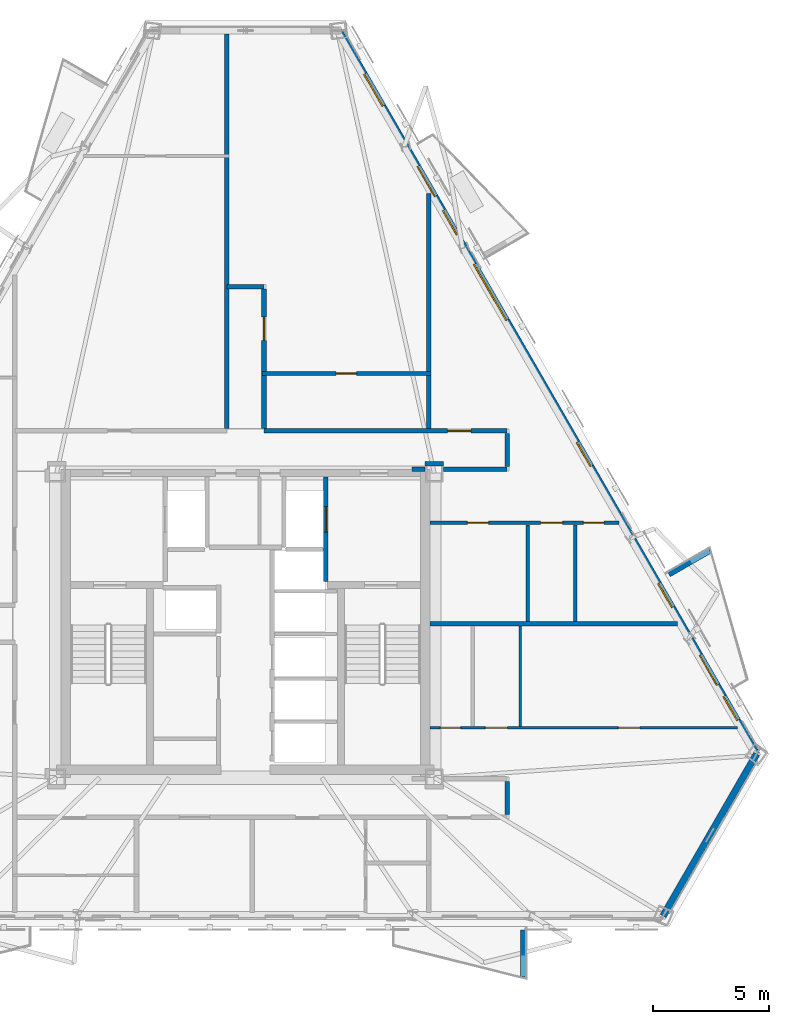
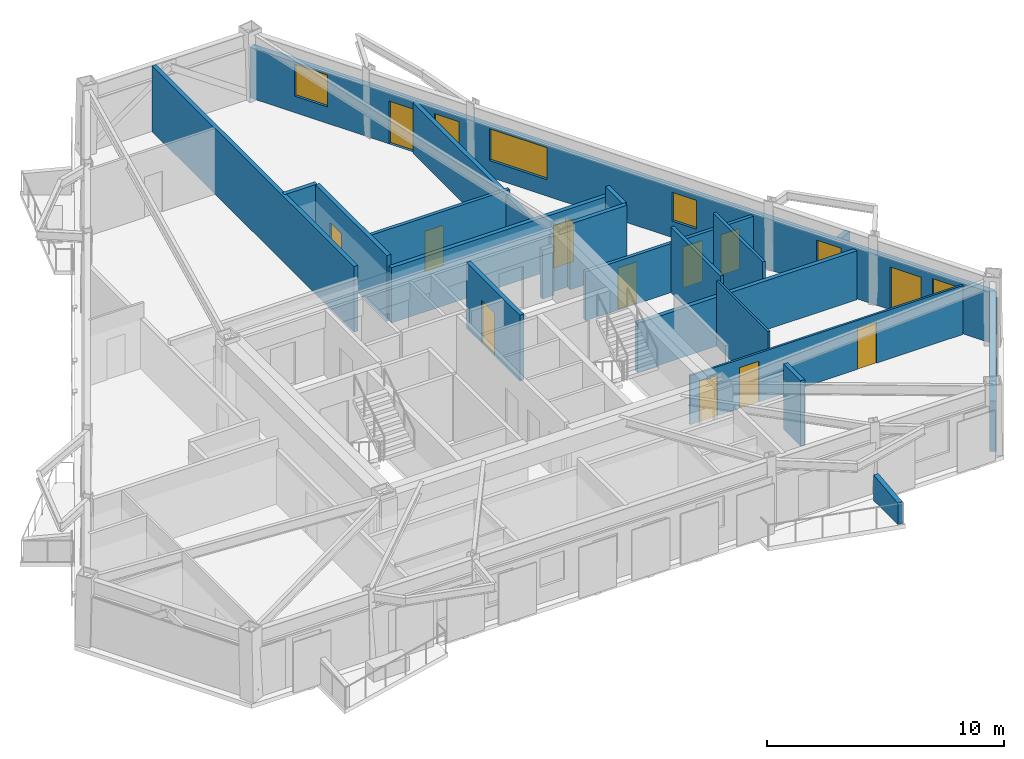
# One storey, part 6 of 10: 22 walls, 12 doors, 6 windows, 18 openings.
"""IFC4 building model written with IfcOpenShell, lengths in metres."""

from ifc_helpers import new_model, si_unit, direction, frame, frame_2d, origin, place, context, subcontext, project, spatial, polyline, rectangle, outline, extrude, material, layer, layer_set, type_object, element, fill, save


model = new_model("IFC4")

# Units and contexts
model_context = context("Model", 3, precision=1e-05, world=origin(), true_north=direction((0.0, 1.0)))
body_context = subcontext(model_context, "Body", "Model", "MODEL_VIEW")
ifc_project = project(units=[si_unit("LENGTHUNIT", "METRE"), si_unit("AREAUNIT", "SQUARE_METRE"), si_unit("VOLUMEUNIT", "CUBIC_METRE"), si_unit("PLANEANGLEUNIT", "RADIAN"), si_unit("MASSUNIT", "GRAM", prefix="KILO")], contexts=[model_context])

# Site, building, storey
site_placement = place(None, origin())
site = spatial("IfcSite", under=ifc_project, at=site_placement, CompositionType="ELEMENT")
building_placement = place(site_placement, origin())
building = spatial("IfcBuilding", under=site, at=building_placement, Name="Oramaril Tower", CompositionType="ELEMENT")
storey_placement = place(building_placement, frame((0.0, 0.0, 181.800048828125)))
storey = spatial("IfcBuildingStorey", under=building, at=storey_placement, Name="L48", CompositionType="ELEMENT", Elevation=181.800048828125)

# Wall
ifc_material_1 = material(Name="Warm Cream Limestone", Category="masonry")
ifc_layer_1 = layer(ifc_material_1, 0.2900390625)
ifc_layer_set_1 = layer_set([ifc_layer_1], Name="WT-EXT29")
wall_type_1 = type_object("IfcWallType", Name="WT-EXT29", PredefinedType="SOLIDWALL", material=ifc_layer_set_1)
wall_1_placement = place(storey_placement, frame((55.52685546875, 5.02880859375, 0.0), z_axis=(0.0, 0.0, 1.0), x_axis=(0.500007649659, 0.866020987207, 0.0)))
element("IfcWall", 1, at=wall_1_placement, inside=storey, type_object=wall_type_1, Name="L48 Tower Limestone Facade Wall 3M", PredefinedType="SOLIDWALL", context=body_context, shape_type="SweptSolid", body=[
    extrude(rectangle(XDim=8.076904296875, YDim=0.2900390625, at=frame_2d((4.03857421875, 0.0))), origin(), (0.0, 0.0, 1.0), 2.599853515625),
])

# Wall, openings, doors, windows
wall_2_placement = place(storey_placement, frame((59.5654296875, 12.023681640625, 0.0), z_axis=(0.0, 0.0, 1.0), x_axis=(-0.499997559055, 0.86602681306, 0.0)))
wall_2 = element("IfcWall", 2, at=wall_2_placement, inside=storey, type_object=wall_type_1, Name="L48 Tower Limestone Facade Wall 4M", PredefinedType="SOLIDWALL", context=body_context, shape_type="SweptSolid", body=[
    extrude(rectangle(XDim=36.053955078125, YDim=0.2900390625, at=frame_2d((18.02685546875, 0.0))), origin(), (0.0, 0.0, 1.0), 2.599853515625),
])
opening_1_placement = place(wall_2_placement, frame((3.429443359375, 0.0, 0.0)))
opening_1 = element("IfcOpeningElement", 3, at=opening_1_placement, cuts=wall_2, Name="Opening D-L48-BAL-NE1", PredefinedType="OPENING", context=body_context, shape_type="SweptSolid", body=[
    extrude(rectangle(XDim=1.5, YDim=2.199951171875, at=frame_2d((0.75, 1.10009765625))), frame((0.0, 0.14501953125, 0.0), z_axis=(0.0, -1.0, 0.0), x_axis=(1.0, 0.0, 0.0)), (0.0, 0.0, 1.0), 0.2900390625),
])
opening_2_placement = place(wall_2_placement, frame((27.779296875, 0.0, 0.0)))
opening_2 = element("IfcOpeningElement", 4, at=opening_2_placement, cuts=wall_2, Name="Opening D-L48-BAL-NE2", PredefinedType="OPENING", context=body_context, shape_type="SweptSolid", body=[
    extrude(rectangle(XDim=1.5, YDim=2.199951171875, at=frame_2d((0.75, 1.10009765625))), frame((0.0, 0.14501953125, 0.0), z_axis=(0.0, -1.0, 0.0), x_axis=(1.0, 0.0, 0.0)), (0.0, 0.0, 1.0), 0.2900390625),
])
opening_3_placement = place(wall_2_placement, frame((1.672119140625, 0.0, 0.85009765625)))
opening_3 = element("IfcOpeningElement", 5, at=opening_3_placement, cuts=wall_2, Name="Opening WN-09", PredefinedType="OPENING", context=body_context, shape_type="SweptSolid", body=[
    extrude(rectangle(XDim=1.199951171875, YDim=1.47998046875, at=frame_2d((0.60009765625, 0.739990234375))), frame((0.0, 0.14501953125, 0.0), z_axis=(0.0, -1.0, 0.0), x_axis=(1.0, 0.0, 0.0)), (0.0, 0.0, 1.0), 0.2900390625),
])
opening_4_placement = place(wall_2_placement, frame((14.33203125, 0.0, 0.85009765625)))
opening_4 = element("IfcOpeningElement", 6, at=opening_4_placement, cuts=wall_2, Name="Opening WN-09", PredefinedType="OPENING", context=body_context, shape_type="SweptSolid", body=[
    extrude(rectangle(XDim=1.199951171875, YDim=1.47998046875, at=frame_2d((0.60009765625, 0.739990234375))), frame((0.0, 0.14501953125, 0.0), z_axis=(0.0, -1.0, 0.0), x_axis=(1.0, 0.0, 0.0)), (0.0, 0.0, 1.0), 0.2900390625),
])
opening_5_placement = place(wall_2_placement, frame((21.605224609375, 0.0, 0.85009765625)))
opening_5 = element("IfcOpeningElement", 7, at=opening_5_placement, cuts=wall_2, Name="Opening WN-01", PredefinedType="OPENING", context=body_context, shape_type="SweptSolid", body=[
    extrude(rectangle(XDim=2.800048828125, YDim=1.639892578125, at=frame_2d((1.39990234375, 0.81982421875))), frame((0.0, 0.14501953125, 0.0), z_axis=(0.0, -1.0, 0.0), x_axis=(1.0, 0.0, 0.0)), (0.0, 0.0, 1.0), 0.2900390625),
])
opening_6_placement = place(wall_2_placement, frame((7.301025390625, 0.0, 0.85009765625)))
opening_6 = element("IfcOpeningElement", 8, at=opening_6_placement, cuts=wall_2, Name="Opening WN-09", PredefinedType="OPENING", context=body_context, shape_type="SweptSolid", body=[
    extrude(rectangle(XDim=1.199951171875, YDim=1.47998046875, at=frame_2d((0.60009765625, 0.739990234375))), frame((0.0, 0.14501953125, 0.0), z_axis=(0.0, -1.0, 0.0), x_axis=(1.0, 0.0, 0.0)), (0.0, 0.0, 1.0), 0.2900390625),
])
opening_7_placement = place(wall_2_placement, frame((25.885498046875, 0.0, 0.85009765625)))
opening_7 = element("IfcOpeningElement", 9, at=opening_7_placement, cuts=wall_2, Name="Opening WN-09", PredefinedType="OPENING", context=body_context, shape_type="SweptSolid", body=[
    extrude(rectangle(XDim=1.199951171875, YDim=1.47998046875, at=frame_2d((0.60009765625, 0.739990234375))), frame((0.0, 0.14501953125, 0.0), z_axis=(0.0, -1.0, 0.0), x_axis=(1.0, 0.0, 0.0)), (0.0, 0.0, 1.0), 0.2900390625),
])
opening_8_placement = place(wall_2_placement, frame((32.281982421875, 0.0, 0.85009765625)))
opening_8 = element("IfcOpeningElement", 10, at=opening_8_placement, cuts=wall_2, Name="Opening WN-07", PredefinedType="OPENING", context=body_context, shape_type="SweptSolid", body=[
    extrude(rectangle(XDim=1.60009765625, YDim=1.639892578125, at=frame_2d((0.800048828125, 0.81982421875))), frame((0.0, 0.14501953125, 0.0), z_axis=(0.0, -1.0, 0.0), x_axis=(1.0, 0.0, 0.0)), (0.0, 0.0, 1.0), 0.2900390625),
])
ifc_material_2 = material(Name="Anodised Aluminium 6063-T6", Category="aluminium")
door_type_1 = type_object("IfcDoorType", Name="DT-BAL", OperationType="NOTDEFINED", PredefinedType="DOOR", material=ifc_material_2)
door_1_placement = place(opening_1_placement, origin())
door_1 = element("IfcDoor", 11, at=door_1_placement, inside=storey, type_object=door_type_1, Name="L48 Balcony Glazed Door L48-BAL-NE1", OperationType="SINGLE_SWING_LEFT", OverallHeight=2.199951171875, OverallWidth=1.5, PredefinedType="DOOR", context=body_context, shape_type="SweptSolid", body=[
    extrude(rectangle(XDim=1.5, YDim=2.199951171875, at=frame_2d((0.75, 1.10009765625))), frame((0.0, 0.02490234375, 0.0), z_axis=(0.0, -1.0, 0.0), x_axis=(1.0, 0.0, 0.0)), (0.0, 0.0, 1.0), 0.050048828125),
])
fill(opening_1, door_1)
door_2_placement = place(opening_2_placement, origin())
door_2 = element("IfcDoor", 12, at=door_2_placement, inside=storey, type_object=door_type_1, Name="L48 Balcony Glazed Door L48-BAL-NE2", OperationType="SINGLE_SWING_RIGHT", OverallHeight=2.199951171875, OverallWidth=1.5, PredefinedType="DOOR", context=body_context, shape_type="SweptSolid", body=[
    extrude(rectangle(XDim=1.5, YDim=2.199951171875, at=frame_2d((0.75, 1.10009765625))), frame((0.0, 0.02490234375, 0.0), z_axis=(0.0, -1.0, 0.0), x_axis=(1.0, 0.0, 0.0)), (0.0, 0.0, 1.0), 0.050048828125),
])
fill(opening_2, door_2)
ifc_material_3 = material(Name="Coastal Low-E Insulated Glass", Category="glass")
window_type_1 = type_object("IfcWindowType", Name="WNT-01", PartitioningType="SINGLE_PANEL", PredefinedType="WINDOW", material=ifc_material_3)
window_1_placement = place(opening_5_placement, origin())
window_1 = element("IfcWindow", 13, at=window_1_placement, inside=storey, type_object=window_type_1, Name="L48 Chicago Bay Window WN-01", OverallHeight=1.639892578125, OverallWidth=2.800048828125, PartitioningType="SINGLE_PANEL", PredefinedType="WINDOW", context=body_context, shape_type="SweptSolid", body=[
    extrude(rectangle(XDim=2.800048828125, YDim=1.639892578125, at=frame_2d((1.39990234375, 0.81982421875))), frame((0.0, 0.030029296875, 0.0), z_axis=(0.0, -1.0, 0.0), x_axis=(1.0, 0.0, 0.0)), (0.0, 0.0, 1.0), 0.06005859375),
])
fill(opening_5, window_1)
ifc_material_4 = material(Name="Coastal Low-E Insulated Glass", Category="glass")
window_type_2 = type_object("IfcWindowType", Name="WNT-07", PartitioningType="SINGLE_PANEL", PredefinedType="WINDOW", material=ifc_material_4)
window_2_placement = place(opening_8_placement, origin())
window_2 = element("IfcWindow", 14, at=window_2_placement, inside=storey, type_object=window_type_2, Name="L48 Chicago Bay Window WN-07", OverallHeight=1.639892578125, OverallWidth=1.60009765625, PartitioningType="SINGLE_PANEL", PredefinedType="WINDOW", context=body_context, shape_type="SweptSolid", body=[
    extrude(rectangle(XDim=1.60009765625, YDim=1.639892578125, at=frame_2d((0.800048828125, 0.81982421875))), frame((0.0, 0.030029296875, 0.0), z_axis=(0.0, -1.0, 0.0), x_axis=(1.0, 0.0, 0.0)), (0.0, 0.0, 1.0), 0.06005859375),
])
fill(opening_8, window_2)
ifc_material_5 = material(Name="Coastal Low-E Insulated Glass", Category="glass")
window_type_3 = type_object("IfcWindowType", Name="WNT-09", PartitioningType="SINGLE_PANEL", PredefinedType="WINDOW", material=ifc_material_5)
window_3_placement = place(opening_3_placement, origin())
window_3 = element("IfcWindow", 15, at=window_3_placement, inside=storey, type_object=window_type_3, Name="L48 Chicago Bay Window WN-09", OverallHeight=1.47998046875, OverallWidth=1.199951171875, PartitioningType="SINGLE_PANEL", PredefinedType="WINDOW", context=body_context, shape_type="SweptSolid", body=[
    extrude(rectangle(XDim=1.199951171875, YDim=1.47998046875, at=frame_2d((0.60009765625, 0.739990234375))), frame((0.0, 0.030029296875, 0.0), z_axis=(0.0, -1.0, 0.0), x_axis=(1.0, 0.0, 0.0)), (0.0, 0.0, 1.0), 0.06005859375),
])
fill(opening_3, window_3)
window_4_placement = place(opening_4_placement, origin())
window_4 = element("IfcWindow", 16, at=window_4_placement, inside=storey, type_object=window_type_3, Name="L48 Chicago Bay Window WN-09", OverallHeight=1.47998046875, OverallWidth=1.199951171875, PartitioningType="SINGLE_PANEL", PredefinedType="WINDOW", context=body_context, shape_type="SweptSolid", body=[
    extrude(rectangle(XDim=1.199951171875, YDim=1.47998046875, at=frame_2d((0.60009765625, 0.739990234375))), frame((0.0, 0.030029296875, 0.0), z_axis=(0.0, -1.0, 0.0), x_axis=(1.0, 0.0, 0.0)), (0.0, 0.0, 1.0), 0.06005859375),
])
fill(opening_4, window_4)
window_5_placement = place(opening_6_placement, origin())
window_5 = element("IfcWindow", 17, at=window_5_placement, inside=storey, type_object=window_type_3, Name="L48 Chicago Bay Window WN-09", OverallHeight=1.47998046875, OverallWidth=1.199951171875, PartitioningType="SINGLE_PANEL", PredefinedType="WINDOW", context=body_context, shape_type="SweptSolid", body=[
    extrude(rectangle(XDim=1.199951171875, YDim=1.47998046875, at=frame_2d((0.60009765625, 0.739990234375))), frame((0.0, 0.030029296875, 0.0), z_axis=(0.0, -1.0, 0.0), x_axis=(1.0, 0.0, 0.0)), (0.0, 0.0, 1.0), 0.06005859375),
])
fill(opening_6, window_5)
window_6_placement = place(opening_7_placement, origin())
window_6 = element("IfcWindow", 18, at=window_6_placement, inside=storey, type_object=window_type_3, Name="L48 Chicago Bay Window WN-09", OverallHeight=1.47998046875, OverallWidth=1.199951171875, PartitioningType="SINGLE_PANEL", PredefinedType="WINDOW", context=body_context, shape_type="SweptSolid", body=[
    extrude(rectangle(XDim=1.199951171875, YDim=1.47998046875, at=frame_2d((0.60009765625, 0.739990234375))), frame((0.0, 0.030029296875, 0.0), z_axis=(0.0, -1.0, 0.0), x_axis=(1.0, 0.0, 0.0)), (0.0, 0.0, 1.0), 0.06005859375),
])
fill(opening_7, window_6)

# Walls
ifc_material_6 = material(Name="Concrete C40/50", Category="concrete")
ifc_layer_2 = layer(ifc_material_6, 0.22998046875)
ifc_layer_set_2 = layer_set([ifc_layer_2], Name="WT-PRP23")
wall_type_2 = type_object("IfcWallType", Name="WT-PRP23", PredefinedType="PARAPET", material=ifc_layer_set_2)
for number, where, z_axis, x_axis, name in (
    (19, (49.4873046875, 4.430908203125, 0.0), (0.0, 0.0, 1.0), (0.0, -1.0, 0.0), "L48 Trapezoidal Balcony Frame Cheek L48-BAL-S2-R"),
    (20, (55.781005859375, 19.7744140625, 0.0), (0.0, 0.0, 1.0), (0.866042246008, 0.499970827278, 0.0), "L48 Trapezoidal Balcony Frame Cheek L48-BAL-NE1-R"),
):
    element("IfcWall", number, at=place(storey_placement, frame(where, z_axis=z_axis, x_axis=x_axis)), inside=storey, type_object=wall_type_2, Name=name, PredefinedType="PARAPET", context=body_context, shape_type="SweptSolid", body=[
        extrude(outline(polyline([(0.0, 0.0), (2.0419921875, 0.0), (2.0419921875, 1.099853515625), (0.0, 1.320068359375), (0.0, 0.0)])), frame((0.0, 0.114990234375, 0.0), z_axis=(0.0, -1.0, 0.0), x_axis=(1.0, 0.0, 0.0)), (0.0, 0.0, 1.0), 0.22998046875),
    ])

# Wall, openings, doors
ifc_material_7 = material(Name="Acoustic Gypsum Board Partition")
ifc_layer_3 = layer(ifc_material_7, 0.10009765625)
ifc_layer_set_3 = layer_set([ifc_layer_3], Name="WT-PT10")
wall_type_3 = type_object("IfcWallType", Name="WT-PT10", PredefinedType="PARTITIONING", material=ifc_layer_set_3)
wall_3_placement = place(storey_placement, frame((45.464111328125, 13.159912109375, 0.0), z_axis=(0.0, 0.0, 1.0), x_axis=(1.0, 0.0, 0.0)))
wall_3 = element("IfcWall", 21, at=wall_3_placement, inside=storey, type_object=wall_type_3, Name="L48 Interior Partition PT-10", PredefinedType="PARTITIONING", context=body_context, shape_type="SweptSolid", body=[
    extrude(rectangle(XDim=13.273193359375, YDim=0.10009765625, at=frame_2d((6.63671875, 0.0))), origin(), (0.0, 0.0, 1.0), 2.52001953125),
])
opening_9_placement = place(wall_3_placement, frame((0.446044921875, 0.0, 0.0)))
opening_9 = element("IfcOpeningElement", 22, at=opening_9_placement, cuts=wall_3, Name="Opening D-L48-06", PredefinedType="OPENING", context=body_context, shape_type="SweptSolid", body=[
    extrude(rectangle(XDim=0.8798828125, YDim=2.080078125, at=frame_2d((0.43994140625, 1.0400390625))), frame((0.0, 0.050048828125, 0.0), z_axis=(0.0, -1.0, 0.0), x_axis=(1.0, 0.0, 0.0)), (0.0, 0.0, 1.0), 0.10009765625),
])
opening_10_placement = place(wall_3_placement, frame((2.39599609375, 0.0, 0.0)))
opening_10 = element("IfcOpeningElement", 23, at=opening_10_placement, cuts=wall_3, Name="Opening D-L48-07", PredefinedType="OPENING", context=body_context, shape_type="SweptSolid", body=[
    extrude(rectangle(XDim=0.949951171875, YDim=2.10009765625, at=frame_2d((0.47509765625, 1.050048828125))), frame((0.0, 0.050048828125, 0.0), z_axis=(0.0, -1.0, 0.0), x_axis=(1.0, 0.0, 0.0)), (0.0, 0.0, 1.0), 0.10009765625),
])
opening_11_placement = place(wall_3_placement, frame((8.138916015625, 0.0, 0.0)))
opening_11 = element("IfcOpeningElement", 24, at=opening_11_placement, cuts=wall_3, Name="Opening D-L48-08", PredefinedType="OPENING", context=body_context, shape_type="SweptSolid", body=[
    extrude(rectangle(XDim=0.919921875, YDim=2.1201171875, at=frame_2d((0.4599609375, 1.06005859375))), frame((0.0, 0.050048828125, 0.0), z_axis=(0.0, -1.0, 0.0), x_axis=(1.0, 0.0, 0.0)), (0.0, 0.0, 1.0), 0.10009765625),
])
ifc_material_8 = material(Name="FSC Brazilian Freijo Hardwood", Category="wood")
door_type_2 = type_object("IfcDoorType", Name="DT-BATH", OperationType="NOTDEFINED", PredefinedType="DOOR", material=ifc_material_8)
door_3_placement = place(opening_9_placement, origin())
door_3 = element("IfcDoor", 25, at=door_3_placement, inside=storey, type_object=door_type_2, Name="L48 Flat L48-U5 Bathroom Door D-L48-06", OperationType="SINGLE_SWING_LEFT", OverallHeight=2.080078125, OverallWidth=0.8798828125, PredefinedType="DOOR", context=body_context, shape_type="SweptSolid", body=[
    extrude(rectangle(XDim=0.8798828125, YDim=2.080078125, at=frame_2d((0.43994140625, 1.0400390625))), frame((0.0, 0.02490234375, 0.0), z_axis=(0.0, -1.0, 0.0), x_axis=(1.0, 0.0, 0.0)), (0.0, 0.0, 1.0), 0.050048828125),
])
fill(opening_9, door_3)
ifc_material_9 = material(Name="FSC Brazilian Freijo Hardwood", Category="wood")
door_type_3 = type_object("IfcDoorType", Name="DT-BED", OperationType="NOTDEFINED", PredefinedType="DOOR", material=ifc_material_9)
door_4_placement = place(opening_11_placement, origin())
door_4 = element("IfcDoor", 26, at=door_4_placement, inside=storey, type_object=door_type_3, Name="L48 Flat L48-U5 Master Bedroom Door D-L48-08", OperationType="SINGLE_SWING_LEFT", OverallHeight=2.1201171875, OverallWidth=0.919921875, PredefinedType="DOOR", context=body_context, shape_type="SweptSolid", body=[
    extrude(rectangle(XDim=0.919921875, YDim=2.1201171875, at=frame_2d((0.4599609375, 1.06005859375))), frame((0.0, 0.02490234375, 0.0), z_axis=(0.0, -1.0, 0.0), x_axis=(1.0, 0.0, 0.0)), (0.0, 0.0, 1.0), 0.050048828125),
])
fill(opening_11, door_4)
ifc_material_10 = material(Name="FSC Brazilian Freijo Hardwood", Category="wood")
door_type_4 = type_object("IfcDoorType", Name="DT-STDY", OperationType="NOTDEFINED", PredefinedType="DOOR", material=ifc_material_10)
door_5_placement = place(opening_10_placement, origin())
door_5 = element("IfcDoor", 27, at=door_5_placement, inside=storey, type_object=door_type_4, Name="L48 Flat L48-U5 Kitchen Door D-L48-07", OperationType="SINGLE_SWING_RIGHT", OverallHeight=2.10009765625, OverallWidth=0.949951171875, PredefinedType="DOOR", context=body_context, shape_type="SweptSolid", body=[
    extrude(rectangle(XDim=0.949951171875, YDim=2.10009765625, at=frame_2d((0.47509765625, 1.050048828125))), frame((0.0, 0.02490234375, 0.0), z_axis=(0.0, -1.0, 0.0), x_axis=(1.0, 0.0, 0.0)), (0.0, 0.0, 1.0), 0.050048828125),
])
fill(opening_10, door_5)

# Walls
wall_4_placement = place(storey_placement, frame((49.360107421875, 13.214111328125, 0.0), z_axis=(0.0, 0.0, 1.0), x_axis=(0.0, 1.0, 0.0)))
element("IfcWall", 28, at=wall_4_placement, inside=storey, type_object=wall_type_3, Name="L48 Interior Partition PT-10", PredefinedType="PARTITIONING", context=body_context, shape_type="SweptSolid", body=[
    extrude(rectangle(XDim=4.331787109375, YDim=0.10009765625, at=frame_2d((2.166015625, 0.0))), origin(), (0.0, 0.0, 1.0), 3.3798828125),
])
ifc_material_11 = material(Name="Acoustic Gypsum Board Partition")
ifc_layer_4 = layer(ifc_material_11, 0.139892578125)
ifc_layer_set_4 = layer_set([ifc_layer_4], Name="WT-PT14")
wall_type_4 = type_object("IfcWallType", Name="WT-PT14", PredefinedType="PARTITIONING", material=ifc_layer_set_4)
wall_5_placement = place(storey_placement, frame((51.739990234375, 17.75390625, 0.0), z_axis=(0.0, 0.0, 1.0), x_axis=(0.0, 1.0, 0.0)))
element("IfcWall", 29, at=wall_5_placement, inside=storey, type_object=wall_type_4, Name="L48 Interior Partition PT-14", PredefinedType="PARTITIONING", context=body_context, shape_type="SweptSolid", body=[
    extrude(rectangle(XDim=4.162109375, YDim=0.139892578125, at=frame_2d((2.0810546875, 0.0))), origin(), (0.0, 0.0, 1.0), 3.3798828125),
])

# Wall, openings, doors
ifc_material_12 = material(Name="Acoustic Gypsum Board Partition")
ifc_layer_5 = layer(ifc_material_12, 0.159912109375)
ifc_layer_set_5 = layer_set([ifc_layer_5], Name="WT-PT16")
wall_type_5 = type_object("IfcWallType", Name="WT-PT16", PredefinedType="PARTITIONING", material=ifc_layer_set_5)
wall_6_placement = place(storey_placement, frame((45.464111328125, 22.0, 0.0), z_axis=(0.0, 0.0, 1.0), x_axis=(1.0, 0.0, 0.0)))
wall_6 = element("IfcWall", 30, at=wall_6_placement, inside=storey, type_object=wall_type_5, Name="L48 Interior Partition PT-16", PredefinedType="PARTITIONING", context=body_context, shape_type="SweptSolid", body=[
    extrude(rectangle(XDim=8.16943359375, YDim=0.159912109375, at=frame_2d((4.084716796875, 0.0))), origin(), (0.0, 0.0, 1.0), 2.52001953125),
])
opening_12_placement = place(wall_6_placement, frame((1.6171875, 0.0, 0.0)))
opening_12 = element("IfcOpeningElement", 31, at=opening_12_placement, cuts=wall_6, Name="Opening D-L48-09", PredefinedType="OPENING", context=body_context, shape_type="SweptSolid", body=[
    extrude(rectangle(XDim=0.919921875, YDim=2.1201171875, at=frame_2d((0.4599609375, 1.06005859375))), frame((0.0, 0.080078125, 0.0), z_axis=(0.0, -1.0, 0.0), x_axis=(1.0, 0.0, 0.0)), (0.0, 0.0, 1.0), 0.159912109375),
])
opening_13_placement = place(wall_6_placement, frame((4.7783203125, 0.0, 0.0)))
opening_13 = element("IfcOpeningElement", 32, at=opening_13_placement, cuts=wall_6, Name="Opening D-L48-10", PredefinedType="OPENING", context=body_context, shape_type="SweptSolid", body=[
    extrude(rectangle(XDim=0.949951171875, YDim=2.10009765625, at=frame_2d((0.47509765625, 1.050048828125))), frame((0.0, 0.080078125, 0.0), z_axis=(0.0, -1.0, 0.0), x_axis=(1.0, 0.0, 0.0)), (0.0, 0.0, 1.0), 0.159912109375),
])
opening_14_placement = place(wall_6_placement, frame((6.62841796875, 0.0, 0.0)))
opening_14 = element("IfcOpeningElement", 33, at=opening_14_placement, cuts=wall_6, Name="Opening D-L48-11", PredefinedType="OPENING", context=body_context, shape_type="SweptSolid", body=[
    extrude(rectangle(XDim=0.8798828125, YDim=2.080078125, at=frame_2d((0.43994140625, 1.0400390625))), frame((0.0, 0.080078125, 0.0), z_axis=(0.0, -1.0, 0.0), x_axis=(1.0, 0.0, 0.0)), (0.0, 0.0, 1.0), 0.159912109375),
])
door_6_placement = place(opening_14_placement, origin())
door_6 = element("IfcDoor", 34, at=door_6_placement, inside=storey, type_object=door_type_2, Name="L48 Flat L48-U6 Bathroom Door D-L48-11", OperationType="SINGLE_SWING_RIGHT", OverallHeight=2.080078125, OverallWidth=0.8798828125, PredefinedType="DOOR", context=body_context, shape_type="SweptSolid", body=[
    extrude(rectangle(XDim=0.8798828125, YDim=2.080078125, at=frame_2d((0.43994140625, 1.0400390625))), frame((0.0, 0.02490234375, 0.0), z_axis=(0.0, -1.0, 0.0), x_axis=(1.0, 0.0, 0.0)), (0.0, 0.0, 1.0), 0.050048828125),
])
fill(opening_14, door_6)
door_7_placement = place(opening_12_placement, origin())
door_7 = element("IfcDoor", 35, at=door_7_placement, inside=storey, type_object=door_type_3, Name="L48 Flat L48-U6 Master Bedroom Door D-L48-09", OperationType="SINGLE_SWING_RIGHT", OverallHeight=2.1201171875, OverallWidth=0.919921875, PredefinedType="DOOR", context=body_context, shape_type="SweptSolid", body=[
    extrude(rectangle(XDim=0.919921875, YDim=2.1201171875, at=frame_2d((0.4599609375, 1.06005859375))), frame((0.0, 0.02490234375, 0.0), z_axis=(0.0, -1.0, 0.0), x_axis=(1.0, 0.0, 0.0)), (0.0, 0.0, 1.0), 0.050048828125),
])
fill(opening_12, door_7)
door_8_placement = place(opening_13_placement, origin())
door_8 = element("IfcDoor", 36, at=door_8_placement, inside=storey, type_object=door_type_4, Name="L48 Flat L48-U6 Kitchen Door D-L48-10", OperationType="SINGLE_SWING_LEFT", OverallHeight=2.10009765625, OverallWidth=0.949951171875, PredefinedType="DOOR", context=body_context, shape_type="SweptSolid", body=[
    extrude(rectangle(XDim=0.949951171875, YDim=2.10009765625, at=frame_2d((0.47509765625, 1.050048828125))), frame((0.0, 0.02490234375, 0.0), z_axis=(0.0, -1.0, 0.0), x_axis=(1.0, 0.0, 0.0)), (0.0, 0.0, 1.0), 0.050048828125),
])
fill(opening_13, door_8)

# Wall, opening, door
wall_7_placement = place(storey_placement, frame((38.218017578125, 28.449951171875, 0.0), z_axis=(0.0, 0.0, 1.0), x_axis=(1.0, 0.0, 0.0)))
wall_7 = element("IfcWall", 37, at=wall_7_placement, inside=storey, type_object=wall_type_5, Name="L48 Interior Partition PT-16", PredefinedType="PARTITIONING", context=body_context, shape_type="SweptSolid", body=[
    extrude(rectangle(XDim=7.283935546875, YDim=0.159912109375, at=frame_2d((3.64208984375, 0.0))), origin(), (0.0, 0.0, 1.0), 2.842041015625),
])
opening_15_placement = place(wall_7_placement, frame((3.201904296875, 0.0, 0.0)))
opening_15 = element("IfcOpeningElement", 38, at=opening_15_placement, cuts=wall_7, Name="Opening D-L48-15", PredefinedType="OPENING", context=body_context, shape_type="SweptSolid", body=[
    extrude(rectangle(XDim=0.8798828125, YDim=2.080078125, at=frame_2d((0.43994140625, 1.0400390625))), frame((0.0, 0.080078125, 0.0), z_axis=(0.0, -1.0, 0.0), x_axis=(1.0, 0.0, 0.0)), (0.0, 0.0, 1.0), 0.159912109375),
])
door_9_placement = place(opening_15_placement, origin())
door_9 = element("IfcDoor", 39, at=door_9_placement, inside=storey, type_object=door_type_2, Name="L48 Flat L48-U8 Bathroom Door D-L48-15", OperationType="SINGLE_SWING_RIGHT", OverallHeight=2.080078125, OverallWidth=0.8798828125, PredefinedType="DOOR", context=body_context, shape_type="SweptSolid", body=[
    extrude(rectangle(XDim=0.8798828125, YDim=2.080078125, at=frame_2d((0.43994140625, 1.0400390625))), frame((0.0, 0.02490234375, 0.0), z_axis=(0.0, -1.0, 0.0), x_axis=(1.0, 0.0, 0.0)), (0.0, 0.0, 1.0), 0.050048828125),
])
fill(opening_15, door_9)

# Walls
wall_8_placement = place(storey_placement, frame((49.68994140625, 17.75390625, 0.0), z_axis=(0.0, 0.0, 1.0), x_axis=(0.0, 1.0, 0.0)))
element("IfcWall", 40, at=wall_8_placement, inside=storey, type_object=wall_type_5, Name="L48 Interior Partition PT-16", PredefinedType="PARTITIONING", context=body_context, shape_type="SweptSolid", body=[
    extrude(rectangle(XDim=4.162109375, YDim=0.159912109375, at=frame_2d((2.0810546875, 0.0))), origin(), (0.0, 0.0, 1.0), 3.3798828125),
])
ifc_material_13 = material(Name="Autoclaved Cellular Concrete Block", Category="concrete")
ifc_layer_6 = layer(ifc_material_13, 0.199951171875)
ifc_layer_set_6 = layer_set([ifc_layer_6], Name="WT-PT20")
wall_type_6 = type_object("IfcWallType", Name="WT-PT20", PredefinedType="PARTITIONING", material=ifc_layer_set_6)
wall_9_placement = place(storey_placement, frame((45.464111328125, 17.64990234375, 0.0), z_axis=(0.0, 0.0, 1.0), x_axis=(1.0, 0.0, 0.0)))
element("IfcWall", 41, at=wall_9_placement, inside=storey, type_object=wall_type_6, Name="L48 Interior Partition PT-20", PredefinedType="PARTITIONING", context=body_context, shape_type="SweptSolid", body=[
    extrude(rectangle(XDim=10.680908203125, YDim=0.199951171875, at=frame_2d((5.34033203125, 0.0))), origin(), (0.0, 0.0, 1.0), 2.52001953125),
])
wall_10_placement = place(storey_placement, frame((44.695068359375, 24.320068359375, 0.0), z_axis=(0.0, 0.0, 1.0), x_axis=(1.0, 0.0, 0.0)))
element("IfcWall", 42, at=wall_10_placement, inside=storey, type_object=wall_type_6, Name="L48 Interior Partition PT-20", PredefinedType="PARTITIONING", context=body_context, shape_type="SweptSolid", body=[
    extrude(rectangle(XDim=0.56494140625, YDim=0.199951171875, at=frame_2d((0.282470703125, 0.0))), origin(), (0.0, 0.0, 1.0), 2.52001953125),
])
wall_11_placement = place(storey_placement, frame((46.0400390625, 24.320068359375, 0.0), z_axis=(0.0, 0.0, 1.0), x_axis=(1.0, 0.0, 0.0)))
element("IfcWall", 43, at=wall_11_placement, inside=storey, type_object=wall_type_6, Name="L48 Interior Partition PT-20", PredefinedType="PARTITIONING", context=body_context, shape_type="SweptSolid", body=[
    extrude(rectangle(XDim=2.760009765625, YDim=0.199951171875, at=frame_2d((1.3798828125, 0.0))), origin(), (0.0, 0.0, 1.0), 3.3798828125),
])
wall_12_placement = place(storey_placement, frame((45.2548828125, 24.550048828125, 0.0), z_axis=(0.0, 0.0, 1.0), x_axis=(1.0, 0.0, 0.0)))
element("IfcWall", 44, at=wall_12_placement, inside=storey, type_object=wall_type_6, Name="L48 Interior Partition PT-20", PredefinedType="PARTITIONING", context=body_context, shape_type="SweptSolid", body=[
    extrude(rectangle(XDim=0.7900390625, YDim=0.199951171875, at=frame_2d((0.39501953125, 0.0))), origin(), (0.0, 0.0, 1.0), 2.842041015625),
])

# Wall, opening, door
wall_13_placement = place(storey_placement, frame((38.300048828125, 25.969970703125, 0.0), z_axis=(0.0, 0.0, 1.0), x_axis=(1.0, 0.0, 0.0)))
wall_13 = element("IfcWall", 45, at=wall_13_placement, inside=storey, type_object=wall_type_6, Name="L48 Interior Partition PT-20", PredefinedType="PARTITIONING", context=body_context, shape_type="SweptSolid", body=[
    extrude(rectangle(XDim=10.5, YDim=0.199951171875, at=frame_2d((5.25, 0.0))), origin(), (0.0, 0.0, 1.0), 2.842041015625),
])
opening_16_placement = place(wall_13_placement, frame((7.931884765625, 0.0, 0.0)))
opening_16 = element("IfcOpeningElement", 46, at=opening_16_placement, cuts=wall_13, Name="Opening D-L48-13", PredefinedType="OPENING", context=body_context, shape_type="SweptSolid", body=[
    extrude(rectangle(XDim=1.0, YDim=2.179931640625, at=frame_2d((0.5, 1.08984375))), frame((0.0, 0.10009765625, 0.0), z_axis=(0.0, -1.0, 0.0), x_axis=(1.0, 0.0, 0.0)), (0.0, 0.0, 1.0), 0.199951171875),
])
ifc_material_14 = material(Name="FSC Brazilian Freijo Hardwood", Category="wood")
door_type_5 = type_object("IfcDoorType", Name="DT-APT", OperationType="NOTDEFINED", PredefinedType="DOOR", material=ifc_material_14)
door_10_placement = place(opening_16_placement, origin())
door_10 = element("IfcDoor", 47, at=door_10_placement, inside=storey, type_object=door_type_5, Name="L48 Flat L48-U6 Living and Dining Room Door D-L48-13", OperationType="SINGLE_SWING_RIGHT", OverallHeight=2.179931640625, OverallWidth=1.0, PredefinedType="DOOR", context=body_context, shape_type="SweptSolid", body=[
    extrude(rectangle(XDim=1.0, YDim=2.179931640625, at=frame_2d((0.5, 1.08984375))), frame((0.0, 0.02490234375, 0.0), z_axis=(0.0, -1.0, 0.0), x_axis=(1.0, 0.0, 0.0)), (0.0, 0.0, 1.0), 0.050048828125),
])
fill(opening_16, door_10)

# Walls
wall_14_placement = place(storey_placement, frame((36.699951171875, 32.199951171875, 0.0), z_axis=(0.0, 0.0, 1.0), x_axis=(1.0, 0.0, 0.0)))
element("IfcWall", 48, at=wall_14_placement, inside=storey, type_object=wall_type_6, Name="L48 Interior Partition PT-20", PredefinedType="PARTITIONING", context=body_context, shape_type="SweptSolid", body=[
    extrude(rectangle(XDim=1.60009765625, YDim=0.199951171875, at=frame_2d((0.800048828125, 0.0))), origin(), (0.0, 0.0, 1.0), 3.3798828125),
])
wall_15_placement = place(storey_placement, frame((36.699951171875, 26.073974609375, 0.0), z_axis=(0.0, 0.0, 1.0), x_axis=(0.0, 1.0, 0.0)))
element("IfcWall", 49, at=wall_15_placement, inside=storey, type_object=wall_type_6, Name="L48 Interior Partition PT-20", PredefinedType="PARTITIONING", context=body_context, shape_type="SweptSolid", body=[
    extrude(rectangle(XDim=17.0244140625, YDim=0.199951171875, at=frame_2d((8.51220703125, 0.0))), origin(), (0.0, 0.0, 1.0), 3.3798828125),
])

# Wall, opening, door
wall_16_placement = place(storey_placement, frame((38.300048828125, 26.073974609375, 0.0), z_axis=(0.0, 0.0, 1.0), x_axis=(0.0, 1.0, 0.0)))
wall_16 = element("IfcWall", 50, at=wall_16_placement, inside=storey, type_object=wall_type_6, Name="L48 Interior Partition PT-20", PredefinedType="PARTITIONING", context=body_context, shape_type="SweptSolid", body=[
    extrude(rectangle(XDim=6.02197265625, YDim=0.199951171875, at=frame_2d((3.010986328125, 0.0))), origin(), (0.0, 0.0, 1.0), 3.3798828125),
])
opening_17_placement = place(wall_16_placement, frame((3.804443359375, 0.0, 0.0)))
opening_17 = element("IfcOpeningElement", 51, at=opening_17_placement, cuts=wall_16, Name="Opening D-L48-22", PredefinedType="OPENING", context=body_context, shape_type="SweptSolid", body=[
    extrude(rectangle(XDim=1.0, YDim=2.179931640625, at=frame_2d((0.5, 1.08984375))), frame((0.0, 0.10009765625, 0.0), z_axis=(0.0, -1.0, 0.0), x_axis=(1.0, 0.0, 0.0)), (0.0, 0.0, 1.0), 0.199951171875),
])
door_11_placement = place(opening_17_placement, origin())
door_11 = element("IfcDoor", 52, at=door_11_placement, inside=storey, type_object=door_type_5, Name="L48 Flat L48-U8 Kitchen and Studio Apartment Door D-L48-22", OperationType="SINGLE_SWING_LEFT", OverallHeight=2.179931640625, OverallWidth=1.0, PredefinedType="DOOR", context=body_context, shape_type="SweptSolid", body=[
    extrude(rectangle(XDim=1.0, YDim=2.179931640625, at=frame_2d((0.5, 1.08984375))), frame((0.0, 0.02490234375, 0.0), z_axis=(0.0, -1.0, 0.0), x_axis=(1.0, 0.0, 0.0)), (0.0, 0.0, 1.0), 0.050048828125),
])
fill(opening_17, door_11)

# Walls
wall_17_placement = place(storey_placement, frame((45.419921875, 26.073974609375, 0.0), z_axis=(0.0, 0.0, 1.0), x_axis=(0.0, 1.0, 0.0)))
element("IfcWall", 53, at=wall_17_placement, inside=storey, type_object=wall_type_6, Name="L48 Interior Partition PT-20", PredefinedType="PARTITIONING", context=body_context, shape_type="SweptSolid", body=[
    extrude(rectangle(XDim=10.15234375, YDim=0.199951171875, at=frame_2d((5.076171875, 0.0))), origin(), (0.0, 0.0, 1.0), 2.599853515625),
])
for number, where, z_axis, x_axis, name in (
    (54, (48.800048828125, 9.404052734375, 0.0), (0.0, 0.0, 1.0), (0.0, 1.0, 0.0), "L48 Interior Partition PT-20"),
    (55, (48.800048828125, 24.424072265625, 0.0), (0.0, 0.0, 1.0), (0.0, 1.0, 0.0), "L48 Interior Partition PT-20"),
):
    element("IfcWall", number, at=place(storey_placement, frame(where, z_axis=z_axis, x_axis=x_axis)), inside=storey, type_object=wall_type_6, Name=name, PredefinedType="PARTITIONING", context=body_context, shape_type="SweptSolid", body=[
        extrude(rectangle(XDim=1.44189453125, YDim=0.199951171875, at=frame_2d((0.720947265625, 0.0))), origin(), (0.0, 0.0, 1.0), 3.3798828125),
    ])

# Wall, opening, door
ifc_material_15 = material(Name="Autoclaved Cellular Concrete Block", Category="concrete")
ifc_layer_7 = layer(ifc_material_15, 0.199951171875)
ifc_layer_set_7 = layer_set([ifc_layer_7], Name="WT-SHF20")
wall_type_7 = type_object("IfcWallType", Name="WT-SHF20", PredefinedType="PARTITIONING", material=ifc_layer_set_7)
wall_18_placement = place(storey_placement, frame((40.9599609375, 19.47998046875, 0.0), z_axis=(0.0, 0.0, 1.0), x_axis=(0.0, 1.0, 0.0)))
wall_18 = element("IfcWall", 56, at=wall_18_placement, inside=storey, type_object=wall_type_7, Name="L48 FL-2 Lobby Shaft Wall", PredefinedType="PARTITIONING", context=body_context, shape_type="SweptSolid", body=[
    extrude(rectangle(XDim=4.5, YDim=0.199951171875, at=frame_2d((2.25, 0.0))), origin(), (0.0, 0.0, 1.0), 3.3798828125),
])
opening_18_placement = place(wall_18_placement, frame((2.1201171875, 0.0, 0.0)))
opening_18 = element("IfcOpeningElement", 57, at=opening_18_placement, cuts=wall_18, Name="Opening LD-L48-FL-2", PredefinedType="OPENING", context=body_context, shape_type="SweptSolid", body=[
    extrude(rectangle(XDim=1.10009765625, YDim=2.199951171875, at=frame_2d((0.550048828125, 1.10009765625))), frame((0.0, 0.10009765625, 0.0), z_axis=(0.0, -1.0, 0.0), x_axis=(1.0, 0.0, 0.0)), (0.0, 0.0, 1.0), 0.199951171875),
])
ifc_material_16 = material(Name="Stainless Steel 316L", Category="steel")
door_type_6 = type_object("IfcDoorType", Name="DT-LD1", OperationType="NOTDEFINED", PredefinedType="DOOR", material=ifc_material_16)
door_12_placement = place(opening_18_placement, origin())
door_12 = element("IfcDoor", 58, at=door_12_placement, inside=storey, type_object=door_type_6, Name="L48 Lift FL-2 Sliding Landing Door", OperationType="SLIDING_TO_RIGHT", OverallHeight=2.199951171875, OverallWidth=1.10009765625, PredefinedType="DOOR", context=body_context, shape_type="SweptSolid", body=[
    extrude(rectangle(XDim=1.10009765625, YDim=2.199951171875, at=frame_2d((0.550048828125, 1.10009765625))), frame((0.0, 0.02490234375, 0.0), z_axis=(0.0, -1.0, 0.0), x_axis=(1.0, 0.0, 0.0)), (0.0, 0.0, 1.0), 0.050048828125),
])
fill(opening_18, door_12)

save(model, "model.ifc")
